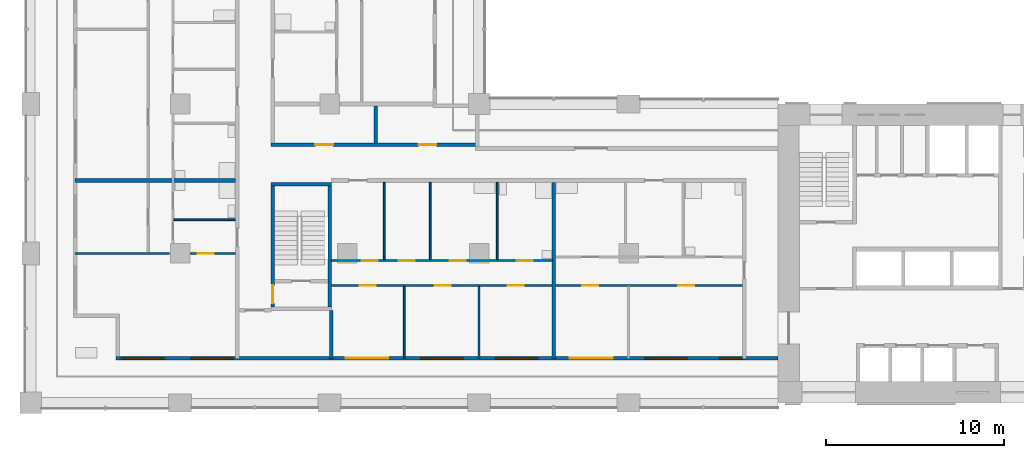
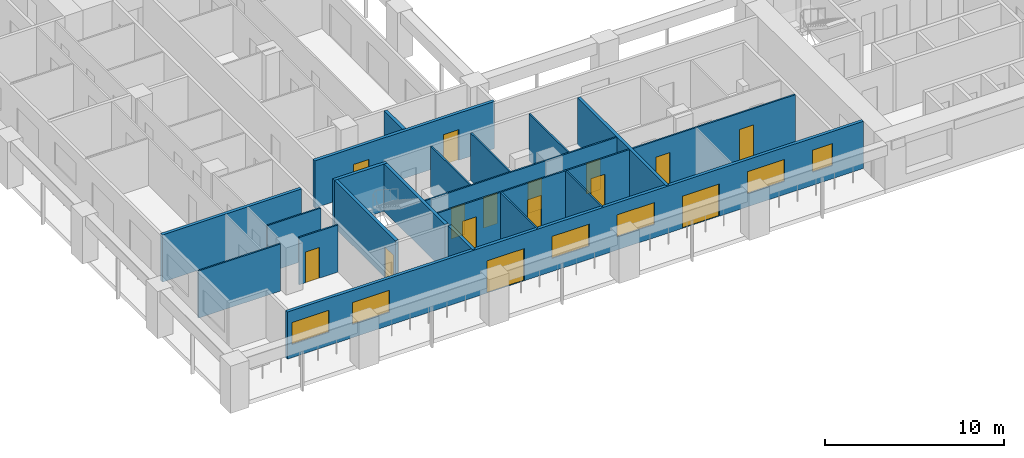
# One storey, part 2 of 17: 19 walls, 15 doors, 6 windows, 21 openings.
"""IFC4 building model written with IfcOpenShell, lengths in metres."""

from ifc_helpers import new_model, si_unit, direction, frame, frame_2d, origin, place, context, subcontext, project, spatial, rectangle, extrude, material, layer, layer_set, type_object, element, fill, save


model = new_model("IFC4")

# Units and contexts
model_context = context("Model", 3, precision=1e-05, world=origin(), true_north=direction((0.0, 1.0)))
body_context = subcontext(model_context, "Body", "Model", "MODEL_VIEW")
ifc_project = project(units=[si_unit("LENGTHUNIT", "METRE"), si_unit("AREAUNIT", "SQUARE_METRE"), si_unit("VOLUMEUNIT", "CUBIC_METRE"), si_unit("PLANEANGLEUNIT", "RADIAN"), si_unit("MASSUNIT", "GRAM", prefix="KILO")], contexts=[model_context])

# Site, building, storey
site_placement = place(None, origin())
site = spatial("IfcSite", under=ifc_project, at=site_placement, CompositionType="ELEMENT")
building_placement = place(site_placement, origin())
building = spatial("IfcBuilding", under=site, at=building_placement, Name="Vermilion Gate Residences", CompositionType="ELEMENT")
storey_placement = place(building_placement, frame((0.0, 0.0, 116.199951171875)))
storey = spatial("IfcBuildingStorey", under=building, at=storey_placement, Name="L29", CompositionType="ELEMENT", Elevation=116.199951171875)

# Wall, openings, doors, windows
ifc_material_1 = material(Name="Insulated steel stud wall with terracotta rainscreen", Category="masonry")
ifc_layer_1 = layer(ifc_material_1, 0.199951171875)
ifc_layer_set_1 = layer_set([ifc_layer_1], Name="EXTERNAL WALL 200 TERRACOTTA RAINSCREEN")
wall_type_1 = type_object("IfcWallType", Name="EXTERNAL WALL 200 TERRACOTTA RAINSCREEN", PredefinedType="SOLIDWALL", material=ifc_layer_set_1)
wall_1_placement = place(storey_placement, frame((4.800048828125, 10.89990234375, 0.0), z_axis=(0.0, 0.0, 1.0), x_axis=(1.0, 0.0, 0.0)))
wall_1 = element("IfcWall", 1, at=wall_1_placement, inside=storey, type_object=wall_type_1, Name="External wall", PredefinedType="SOLIDWALL", context=body_context, shape_type="SweptSolid", body=[
    extrude(rectangle(XDim=37.199951171875, YDim=0.199951171875, at=frame_2d((18.60009765625, 0.0))), origin(), (0.0, 0.0, 1.0), 3.219970703125),
])
opening_1_placement = place(wall_1_placement, frame((0.300048828125, 0.0, 0.89990234375)))
opening_1 = element("IfcOpeningElement", 2, at=opening_1_placement, cuts=wall_1, Name="Opening WE29012", PredefinedType="OPENING", context=body_context, shape_type="SweptSolid", body=[
    extrude(rectangle(XDim=2.39990234375, YDim=1.5, at=frame_2d((1.199951171875, 0.75))), frame((0.0, 0.10986328125, 0.0), z_axis=(0.0, -1.0, 0.0), x_axis=(1.0, 0.0, 0.0)), (0.0, 0.0, 1.0), 0.219970703125),
])
opening_2_placement = place(wall_1_placement, frame((4.199951171875, 0.0, 0.89990234375)))
opening_2 = element("IfcOpeningElement", 3, at=opening_2_placement, cuts=wall_1, Name="Opening WE29013", PredefinedType="OPENING", context=body_context, shape_type="SweptSolid", body=[
    extrude(rectangle(XDim=2.39990234375, YDim=1.5, at=frame_2d((1.199951171875, 0.75))), frame((0.0, 0.10986328125, 0.0), z_axis=(0.0, -1.0, 0.0), x_axis=(1.0, 0.0, 0.0)), (0.0, 0.0, 1.0), 0.219970703125),
])
opening_3_placement = place(wall_1_placement, frame((12.89990234375, 0.0, 0.0)))
opening_3 = element("IfcOpeningElement", 4, at=opening_3_placement, cuts=wall_1, Name="Opening DE29014", PredefinedType="OPENING", context=body_context, shape_type="SweptSolid", body=[
    extrude(rectangle(XDim=2.39990234375, YDim=2.199951171875, at=frame_2d((1.199951171875, 1.10009765625))), frame((0.0, 0.10986328125, 0.0), z_axis=(0.0, -1.0, 0.0), x_axis=(1.0, 0.0, 0.0)), (0.0, 0.0, 1.0), 0.219970703125),
])
opening_4_placement = place(wall_1_placement, frame((17.10009765625, 0.0, 0.89990234375)))
opening_4 = element("IfcOpeningElement", 5, at=opening_4_placement, cuts=wall_1, Name="Opening WE29015", PredefinedType="OPENING", context=body_context, shape_type="SweptSolid", body=[
    extrude(rectangle(XDim=2.39990234375, YDim=1.5, at=frame_2d((1.199951171875, 0.75))), frame((0.0, 0.10986328125, 0.0), z_axis=(0.0, -1.0, 0.0), x_axis=(1.0, 0.0, 0.0)), (0.0, 0.0, 1.0), 0.219970703125),
])
opening_5_placement = place(wall_1_placement, frame((21.300048828125, 0.0, 0.89990234375)))
opening_5 = element("IfcOpeningElement", 6, at=opening_5_placement, cuts=wall_1, Name="Opening WE29016", PredefinedType="OPENING", context=body_context, shape_type="SweptSolid", body=[
    extrude(rectangle(XDim=2.39990234375, YDim=1.5, at=frame_2d((1.199951171875, 0.75))), frame((0.0, 0.10986328125, 0.0), z_axis=(0.0, -1.0, 0.0), x_axis=(1.0, 0.0, 0.0)), (0.0, 0.0, 1.0), 0.219970703125),
])
opening_6_placement = place(wall_1_placement, frame((25.5, 0.0, 0.0)))
opening_6 = element("IfcOpeningElement", 7, at=opening_6_placement, cuts=wall_1, Name="Opening DE29017", PredefinedType="OPENING", context=body_context, shape_type="SweptSolid", body=[
    extrude(rectangle(XDim=2.39990234375, YDim=2.199951171875, at=frame_2d((1.199951171875, 1.10009765625))), frame((0.0, 0.10986328125, 0.0), z_axis=(0.0, -1.0, 0.0), x_axis=(1.0, 0.0, 0.0)), (0.0, 0.0, 1.0), 0.219970703125),
])
opening_7_placement = place(wall_1_placement, frame((29.699951171875, 0.0, 0.89990234375)))
opening_7 = element("IfcOpeningElement", 8, at=opening_7_placement, cuts=wall_1, Name="Opening WE29018", PredefinedType="OPENING", context=body_context, shape_type="SweptSolid", body=[
    extrude(rectangle(XDim=2.39990234375, YDim=1.5, at=frame_2d((1.199951171875, 0.75))), frame((0.0, 0.10986328125, 0.0), z_axis=(0.0, -1.0, 0.0), x_axis=(1.0, 0.0, 0.0)), (0.0, 0.0, 1.0), 0.219970703125),
])
opening_8_placement = place(wall_1_placement, frame((33.89990234375, 0.0, 0.89990234375)))
opening_8 = element("IfcOpeningElement", 9, at=opening_8_placement, cuts=wall_1, Name="Opening WE29019", PredefinedType="OPENING", context=body_context, shape_type="SweptSolid", body=[
    extrude(rectangle(XDim=1.300048828125, YDim=1.5, at=frame_2d((0.64990234375, 0.75))), frame((0.0, 0.10986328125, 0.0), z_axis=(0.0, -1.0, 0.0), x_axis=(1.0, 0.0, 0.0)), (0.0, 0.0, 1.0), 0.219970703125),
])
ifc_material_2 = material(Name="Aluminium and clear glass", Category="aluminium")
door_type_1 = type_object("IfcDoorType", Name="SLIDING GLAZED DOOR 2400 X 2200", OperationType="DOUBLE_DOOR_SLIDING", PredefinedType="DOOR", material=ifc_material_2)
door_1_placement = place(opening_3_placement, origin())
door_1 = element("IfcDoor", 10, at=door_1_placement, inside=storey, type_object=door_type_1, Name="Loggia sliding door", OperationType="DOUBLE_DOOR_SLIDING", OverallHeight=2.199951171875, OverallWidth=2.39990234375, PredefinedType="DOOR", context=body_context, shape_type="SweptSolid", body=[
    extrude(rectangle(XDim=2.39990234375, YDim=2.199951171875, at=frame_2d((1.199951171875, 1.10009765625))), frame((0.0, 0.02490234375, 0.0), z_axis=(0.0, -1.0, 0.0), x_axis=(1.0, 0.0, 0.0)), (0.0, 0.0, 1.0), 0.050048828125),
])
fill(opening_3, door_1)
door_2_placement = place(opening_6_placement, origin())
door_2 = element("IfcDoor", 11, at=door_2_placement, inside=storey, type_object=door_type_1, Name="Loggia sliding door", OperationType="DOUBLE_DOOR_SLIDING", OverallHeight=2.199951171875, OverallWidth=2.39990234375, PredefinedType="DOOR", context=body_context, shape_type="SweptSolid", body=[
    extrude(rectangle(XDim=2.39990234375, YDim=2.199951171875, at=frame_2d((1.199951171875, 1.10009765625))), frame((0.0, 0.02490234375, 0.0), z_axis=(0.0, -1.0, 0.0), x_axis=(1.0, 0.0, 0.0)), (0.0, 0.0, 1.0), 0.050048828125),
])
fill(opening_6, door_2)
ifc_material_3 = material(Name="Aluminium and clear glass", Category="aluminium")
window_type_1 = type_object("IfcWindowType", Name="WINDOW 1300 X 1500", PartitioningType="SINGLE_PANEL", PredefinedType="WINDOW", material=ifc_material_3)
window_1_placement = place(opening_8_placement, origin())
window_1 = element("IfcWindow", 12, at=window_1_placement, inside=storey, type_object=window_type_1, Name="Window", OverallHeight=1.5, OverallWidth=1.300048828125, PartitioningType="SINGLE_PANEL", PredefinedType="WINDOW", context=body_context, shape_type="SweptSolid", body=[
    extrude(rectangle(XDim=1.300048828125, YDim=1.5, at=frame_2d((0.64990234375, 0.75))), frame((0.0, 0.030029296875, 0.0), z_axis=(0.0, -1.0, 0.0), x_axis=(1.0, 0.0, 0.0)), (0.0, 0.0, 1.0), 0.06005859375),
])
fill(opening_8, window_1)
ifc_material_4 = material(Name="Aluminium and clear glass", Category="aluminium")
window_type_2 = type_object("IfcWindowType", Name="WINDOW 2400 X 1500", PartitioningType="SINGLE_PANEL", PredefinedType="WINDOW", material=ifc_material_4)
window_2_placement = place(opening_1_placement, origin())
window_2 = element("IfcWindow", 13, at=window_2_placement, inside=storey, type_object=window_type_2, Name="Window", OverallHeight=1.5, OverallWidth=2.39990234375, PartitioningType="SINGLE_PANEL", PredefinedType="WINDOW", context=body_context, shape_type="SweptSolid", body=[
    extrude(rectangle(XDim=2.39990234375, YDim=1.5, at=frame_2d((1.199951171875, 0.75))), frame((0.0, 0.030029296875, 0.0), z_axis=(0.0, -1.0, 0.0), x_axis=(1.0, 0.0, 0.0)), (0.0, 0.0, 1.0), 0.06005859375),
])
fill(opening_1, window_2)
window_3_placement = place(opening_2_placement, origin())
window_3 = element("IfcWindow", 14, at=window_3_placement, inside=storey, type_object=window_type_2, Name="Window", OverallHeight=1.5, OverallWidth=2.39990234375, PartitioningType="SINGLE_PANEL", PredefinedType="WINDOW", context=body_context, shape_type="SweptSolid", body=[
    extrude(rectangle(XDim=2.39990234375, YDim=1.5, at=frame_2d((1.199951171875, 0.75))), frame((0.0, 0.030029296875, 0.0), z_axis=(0.0, -1.0, 0.0), x_axis=(1.0, 0.0, 0.0)), (0.0, 0.0, 1.0), 0.06005859375),
])
fill(opening_2, window_3)
window_4_placement = place(opening_4_placement, origin())
window_4 = element("IfcWindow", 15, at=window_4_placement, inside=storey, type_object=window_type_2, Name="Window", OverallHeight=1.5, OverallWidth=2.39990234375, PartitioningType="SINGLE_PANEL", PredefinedType="WINDOW", context=body_context, shape_type="SweptSolid", body=[
    extrude(rectangle(XDim=2.39990234375, YDim=1.5, at=frame_2d((1.199951171875, 0.75))), frame((0.0, 0.030029296875, 0.0), z_axis=(0.0, -1.0, 0.0), x_axis=(1.0, 0.0, 0.0)), (0.0, 0.0, 1.0), 0.06005859375),
])
fill(opening_4, window_4)
window_5_placement = place(opening_5_placement, origin())
window_5 = element("IfcWindow", 16, at=window_5_placement, inside=storey, type_object=window_type_2, Name="Window", OverallHeight=1.5, OverallWidth=2.39990234375, PartitioningType="SINGLE_PANEL", PredefinedType="WINDOW", context=body_context, shape_type="SweptSolid", body=[
    extrude(rectangle(XDim=2.39990234375, YDim=1.5, at=frame_2d((1.199951171875, 0.75))), frame((0.0, 0.030029296875, 0.0), z_axis=(0.0, -1.0, 0.0), x_axis=(1.0, 0.0, 0.0)), (0.0, 0.0, 1.0), 0.06005859375),
])
fill(opening_5, window_5)
window_6_placement = place(opening_7_placement, origin())
window_6 = element("IfcWindow", 17, at=window_6_placement, inside=storey, type_object=window_type_2, Name="Window", OverallHeight=1.5, OverallWidth=2.39990234375, PartitioningType="SINGLE_PANEL", PredefinedType="WINDOW", context=body_context, shape_type="SweptSolid", body=[
    extrude(rectangle(XDim=2.39990234375, YDim=1.5, at=frame_2d((1.199951171875, 0.75))), frame((0.0, 0.030029296875, 0.0), z_axis=(0.0, -1.0, 0.0), x_axis=(1.0, 0.0, 0.0)), (0.0, 0.0, 1.0), 0.06005859375),
])
fill(opening_7, window_6)

# Wall, openings, doors
ifc_material_5 = material(Name="Plasterboard on steel studs", Category="steel")
ifc_layer_2 = layer(ifc_material_5, 0.10009765625)
ifc_layer_set_2 = layer_set([ifc_layer_2], Name="PARTITION 100")
wall_type_2 = type_object("IfcWallType", Name="PARTITION 100", PredefinedType="PARTITIONING", material=ifc_layer_set_2)
wall_2_placement = place(storey_placement, frame((16.89990234375, 15.0, 0.0), z_axis=(0.0, 0.0, 1.0), x_axis=(1.0, 0.0, 0.0)))
wall_2 = element("IfcWall", 18, at=wall_2_placement, inside=storey, type_object=wall_type_2, Name="Partition", PredefinedType="PARTITIONING", context=body_context, shape_type="SweptSolid", body=[
    extrude(rectangle(XDim=23.10009765625, YDim=0.10009765625, at=frame_2d((11.550048828125, 0.0))), origin(), (0.0, 0.0, 1.0), 3.219970703125),
])
opening_9_placement = place(wall_2_placement, frame((1.60009765625, 0.0, 0.0)))
opening_9 = element("IfcOpeningElement", 19, at=opening_9_placement, cuts=wall_2, Name="Opening DA28002", PredefinedType="OPENING", context=body_context, shape_type="SweptSolid", body=[
    extrude(rectangle(XDim=0.89990234375, YDim=2.10009765625, at=frame_2d((0.449951171875, 1.050048828125))), frame((0.0, 0.06005859375, 0.0), z_axis=(0.0, -1.0, 0.0), x_axis=(1.0, 0.0, 0.0)), (0.0, 0.0, 1.0), 0.1201171875),
])
opening_10_placement = place(wall_2_placement, frame((5.800048828125, 0.0, 0.0)))
opening_10 = element("IfcOpeningElement", 20, at=opening_10_placement, cuts=wall_2, Name="Opening DA28003", PredefinedType="OPENING", context=body_context, shape_type="SweptSolid", body=[
    extrude(rectangle(XDim=0.89990234375, YDim=2.10009765625, at=frame_2d((0.449951171875, 1.050048828125))), frame((0.0, 0.06005859375, 0.0), z_axis=(0.0, -1.0, 0.0), x_axis=(1.0, 0.0, 0.0)), (0.0, 0.0, 1.0), 0.1201171875),
])
opening_11_placement = place(wall_2_placement, frame((9.89990234375, 0.0, 0.0)))
opening_11 = element("IfcOpeningElement", 21, at=opening_11_placement, cuts=wall_2, Name="Opening DA28004", PredefinedType="OPENING", context=body_context, shape_type="SweptSolid", body=[
    extrude(rectangle(XDim=0.89990234375, YDim=2.10009765625, at=frame_2d((0.449951171875, 1.050048828125))), frame((0.0, 0.06005859375, 0.0), z_axis=(0.0, -1.0, 0.0), x_axis=(1.0, 0.0, 0.0)), (0.0, 0.0, 1.0), 0.1201171875),
])
opening_12_placement = place(wall_2_placement, frame((14.10009765625, 0.0, 0.0)))
opening_12 = element("IfcOpeningElement", 22, at=opening_12_placement, cuts=wall_2, Name="Opening DA28005", PredefinedType="OPENING", context=body_context, shape_type="SweptSolid", body=[
    extrude(rectangle(XDim=0.89990234375, YDim=2.10009765625, at=frame_2d((0.449951171875, 1.050048828125))), frame((0.0, 0.06005859375, 0.0), z_axis=(0.0, -1.0, 0.0), x_axis=(1.0, 0.0, 0.0)), (0.0, 0.0, 1.0), 0.1201171875),
])
opening_13_placement = place(wall_2_placement, frame((19.5, 0.0, 0.0)))
opening_13 = element("IfcOpeningElement", 23, at=opening_13_placement, cuts=wall_2, Name="Opening DA28006", PredefinedType="OPENING", context=body_context, shape_type="SweptSolid", body=[
    extrude(rectangle(XDim=0.89990234375, YDim=2.10009765625, at=frame_2d((0.449951171875, 1.050048828125))), frame((0.0, 0.06005859375, 0.0), z_axis=(0.0, -1.0, 0.0), x_axis=(1.0, 0.0, 0.0)), (0.0, 0.0, 1.0), 0.1201171875),
])
ifc_material_6 = material(Name="Timber", Category="wood")
door_type_2 = type_object("IfcDoorType", Name="INTERIOR DOOR 900 X 2100", OperationType="SINGLE_SWING_LEFT", PredefinedType="DOOR", material=ifc_material_6)
door_3_placement = place(opening_9_placement, frame((0.89990234375, 0.0, 0.0), z_axis=(0.0, 0.0, 1.0), x_axis=(-1.0, 0.0, 0.0)))
door_3 = element("IfcDoor", 24, at=door_3_placement, inside=storey, type_object=door_type_2, Name="Interior door", OperationType="SINGLE_SWING_LEFT", OverallHeight=2.10009765625, OverallWidth=0.89990234375, PredefinedType="DOOR", context=body_context, shape_type="SweptSolid", body=[
    extrude(rectangle(XDim=0.89990234375, YDim=2.10009765625, at=frame_2d((0.449951171875, 1.050048828125))), frame((0.0, 0.02490234375, 0.0), z_axis=(0.0, -1.0, 0.0), x_axis=(1.0, 0.0, 0.0)), (0.0, 0.0, 1.0), 0.050048828125),
])
fill(opening_9, door_3)
door_4_placement = place(opening_10_placement, frame((0.89990234375, 0.0, 0.0), z_axis=(0.0, 0.0, 1.0), x_axis=(-1.0, 0.0, 0.0)))
door_4 = element("IfcDoor", 25, at=door_4_placement, inside=storey, type_object=door_type_2, Name="Interior door", OperationType="SINGLE_SWING_LEFT", OverallHeight=2.10009765625, OverallWidth=0.89990234375, PredefinedType="DOOR", context=body_context, shape_type="SweptSolid", body=[
    extrude(rectangle(XDim=0.89990234375, YDim=2.10009765625, at=frame_2d((0.449951171875, 1.050048828125))), frame((0.0, 0.02490234375, 0.0), z_axis=(0.0, -1.0, 0.0), x_axis=(1.0, 0.0, 0.0)), (0.0, 0.0, 1.0), 0.050048828125),
])
fill(opening_10, door_4)
door_5_placement = place(opening_11_placement, frame((0.89990234375, 0.0, 0.0), z_axis=(0.0, 0.0, 1.0), x_axis=(-1.0, 0.0, 0.0)))
door_5 = element("IfcDoor", 26, at=door_5_placement, inside=storey, type_object=door_type_2, Name="Interior door", OperationType="SINGLE_SWING_RIGHT", OverallHeight=2.10009765625, OverallWidth=0.89990234375, PredefinedType="DOOR", context=body_context, shape_type="SweptSolid", body=[
    extrude(rectangle(XDim=0.89990234375, YDim=2.10009765625, at=frame_2d((0.449951171875, 1.050048828125))), frame((0.0, 0.02490234375, 0.0), z_axis=(0.0, -1.0, 0.0), x_axis=(1.0, 0.0, 0.0)), (0.0, 0.0, 1.0), 0.050048828125),
])
fill(opening_11, door_5)
door_6_placement = place(opening_12_placement, frame((0.89990234375, 0.0, 0.0), z_axis=(0.0, 0.0, 1.0), x_axis=(-1.0, 0.0, 0.0)))
door_6 = element("IfcDoor", 27, at=door_6_placement, inside=storey, type_object=door_type_2, Name="Interior door", OperationType="SINGLE_SWING_RIGHT", OverallHeight=2.10009765625, OverallWidth=0.89990234375, PredefinedType="DOOR", context=body_context, shape_type="SweptSolid", body=[
    extrude(rectangle(XDim=0.89990234375, YDim=2.10009765625, at=frame_2d((0.449951171875, 1.050048828125))), frame((0.0, 0.02490234375, 0.0), z_axis=(0.0, -1.0, 0.0), x_axis=(1.0, 0.0, 0.0)), (0.0, 0.0, 1.0), 0.050048828125),
])
fill(opening_12, door_6)
door_7_placement = place(opening_13_placement, frame((0.89990234375, 0.0, 0.0), z_axis=(0.0, 0.0, 1.0), x_axis=(-1.0, 0.0, 0.0)))
door_7 = element("IfcDoor", 28, at=door_7_placement, inside=storey, type_object=door_type_2, Name="Interior door", OperationType="SINGLE_SWING_LEFT", OverallHeight=2.10009765625, OverallWidth=0.89990234375, PredefinedType="DOOR", context=body_context, shape_type="SweptSolid", body=[
    extrude(rectangle(XDim=0.89990234375, YDim=2.10009765625, at=frame_2d((0.449951171875, 1.050048828125))), frame((0.0, 0.02490234375, 0.0), z_axis=(0.0, -1.0, 0.0), x_axis=(1.0, 0.0, 0.0)), (0.0, 0.0, 1.0), 0.050048828125),
])
fill(opening_13, door_7)

wall_3_placement = place(storey_placement, frame((16.89990234375, 16.39990234375, 0.0), z_axis=(0.0, 0.0, 1.0), x_axis=(1.0, 0.0, 0.0)))
wall_3 = element("IfcWall", 29, at=wall_3_placement, inside=storey, type_object=wall_type_2, Name="Partition", PredefinedType="PARTITIONING", context=body_context, shape_type="SweptSolid", body=[
    extrude(rectangle(XDim=12.400146484375, YDim=0.10009765625, at=frame_2d((6.2001953125, 0.0))), origin(), (0.0, 0.0, 1.0), 3.219970703125),
])
opening_14_placement = place(wall_3_placement, frame((1.699951171875, 0.0, 0.0)))
opening_14 = element("IfcOpeningElement", 30, at=opening_14_placement, cuts=wall_3, Name="Opening DA28007", PredefinedType="OPENING", context=body_context, shape_type="SweptSolid", body=[
    extrude(rectangle(XDim=0.89990234375, YDim=2.10009765625, at=frame_2d((0.449951171875, 1.050048828125))), frame((0.0, 0.06005859375, 0.0), z_axis=(0.0, -1.0, 0.0), x_axis=(1.0, 0.0, 0.0)), (0.0, 0.0, 1.0), 0.1201171875),
])
opening_15_placement = place(wall_3_placement, frame((3.77490234375, 0.0, 0.0)))
opening_15 = element("IfcOpeningElement", 31, at=opening_15_placement, cuts=wall_3, Name="Opening DA28008", PredefinedType="OPENING", context=body_context, shape_type="SweptSolid", body=[
    extrude(rectangle(XDim=0.89990234375, YDim=2.10009765625, at=frame_2d((0.449951171875, 1.050048828125))), frame((0.0, 0.06005859375, 0.0), z_axis=(0.0, -1.0, 0.0), x_axis=(1.0, 0.0, 0.0)), (0.0, 0.0, 1.0), 0.1201171875),
])
opening_16_placement = place(wall_3_placement, frame((6.64990234375, 0.0, 0.0)))
opening_16 = element("IfcOpeningElement", 32, at=opening_16_placement, cuts=wall_3, Name="Opening DA28009", PredefinedType="OPENING", context=body_context, shape_type="SweptSolid", body=[
    extrude(rectangle(XDim=0.89990234375, YDim=2.10009765625, at=frame_2d((0.449951171875, 1.050048828125))), frame((0.0, 0.06005859375, 0.0), z_axis=(0.0, -1.0, 0.0), x_axis=(1.0, 0.0, 0.0)), (0.0, 0.0, 1.0), 0.1201171875),
])
opening_17_placement = place(wall_3_placement, frame((10.425048828125, 0.0, 0.0)))
opening_17 = element("IfcOpeningElement", 33, at=opening_17_placement, cuts=wall_3, Name="Opening DA28010", PredefinedType="OPENING", context=body_context, shape_type="SweptSolid", body=[
    extrude(rectangle(XDim=0.89990234375, YDim=2.10009765625, at=frame_2d((0.449951171875, 1.050048828125))), frame((0.0, 0.06005859375, 0.0), z_axis=(0.0, -1.0, 0.0), x_axis=(1.0, 0.0, 0.0)), (0.0, 0.0, 1.0), 0.1201171875),
])
door_8_placement = place(opening_14_placement, origin())
door_8 = element("IfcDoor", 34, at=door_8_placement, inside=storey, type_object=door_type_2, Name="Interior door", OperationType="SINGLE_SWING_LEFT", OverallHeight=2.10009765625, OverallWidth=0.89990234375, PredefinedType="DOOR", context=body_context, shape_type="SweptSolid", body=[
    extrude(rectangle(XDim=0.89990234375, YDim=2.10009765625, at=frame_2d((0.449951171875, 1.050048828125))), frame((0.0, 0.02490234375, 0.0), z_axis=(0.0, -1.0, 0.0), x_axis=(1.0, 0.0, 0.0)), (0.0, 0.0, 1.0), 0.050048828125),
])
fill(opening_14, door_8)
door_9_placement = place(opening_15_placement, origin())
door_9 = element("IfcDoor", 35, at=door_9_placement, inside=storey, type_object=door_type_2, Name="Interior door", OperationType="SINGLE_SWING_LEFT", OverallHeight=2.10009765625, OverallWidth=0.89990234375, PredefinedType="DOOR", context=body_context, shape_type="SweptSolid", body=[
    extrude(rectangle(XDim=0.89990234375, YDim=2.10009765625, at=frame_2d((0.449951171875, 1.050048828125))), frame((0.0, 0.02490234375, 0.0), z_axis=(0.0, -1.0, 0.0), x_axis=(1.0, 0.0, 0.0)), (0.0, 0.0, 1.0), 0.050048828125),
])
fill(opening_15, door_9)
door_10_placement = place(opening_16_placement, origin())
door_10 = element("IfcDoor", 36, at=door_10_placement, inside=storey, type_object=door_type_2, Name="Interior door", OperationType="SINGLE_SWING_RIGHT", OverallHeight=2.10009765625, OverallWidth=0.89990234375, PredefinedType="DOOR", context=body_context, shape_type="SweptSolid", body=[
    extrude(rectangle(XDim=0.89990234375, YDim=2.10009765625, at=frame_2d((0.449951171875, 1.050048828125))), frame((0.0, 0.02490234375, 0.0), z_axis=(0.0, -1.0, 0.0), x_axis=(1.0, 0.0, 0.0)), (0.0, 0.0, 1.0), 0.050048828125),
])
fill(opening_16, door_10)
door_11_placement = place(opening_17_placement, origin())
door_11 = element("IfcDoor", 37, at=door_11_placement, inside=storey, type_object=door_type_2, Name="Interior door", OperationType="SINGLE_SWING_RIGHT", OverallHeight=2.10009765625, OverallWidth=0.89990234375, PredefinedType="DOOR", context=body_context, shape_type="SweptSolid", body=[
    extrude(rectangle(XDim=0.89990234375, YDim=2.10009765625, at=frame_2d((0.449951171875, 1.050048828125))), frame((0.0, 0.02490234375, 0.0), z_axis=(0.0, -1.0, 0.0), x_axis=(1.0, 0.0, 0.0)), (0.0, 0.0, 1.0), 0.050048828125),
])
fill(opening_17, door_11)

# Wall
wall_4_placement = place(storey_placement, frame((2.5, 16.800048828125, 0.0), z_axis=(0.0, 0.0, 1.0), x_axis=(1.0, 0.0, 0.0)))
element("IfcWall", 38, at=wall_4_placement, inside=storey, type_object=wall_type_2, Name="Partition", PredefinedType="PARTITIONING", context=body_context, shape_type="SweptSolid", body=[
    extrude(rectangle(XDim=5.300048828125, YDim=0.10009765625, at=frame_2d((2.64990234375, 0.0))), origin(), (0.0, 0.0, 1.0), 3.219970703125),
])

# Wall, opening, door
wall_5_placement = place(storey_placement, frame((9.0, 16.800048828125, 0.0), z_axis=(0.0, 0.0, 1.0), x_axis=(1.0, 0.0, 0.0)))
wall_5 = element("IfcWall", 39, at=wall_5_placement, inside=storey, type_object=wall_type_2, Name="Partition", PredefinedType="PARTITIONING", context=body_context, shape_type="SweptSolid", body=[
    extrude(rectangle(XDim=2.5, YDim=0.10009765625, at=frame_2d((1.25, 0.0))), origin(), (0.0, 0.0, 1.0), 3.219970703125),
])
opening_18_placement = place(wall_5_placement, frame((0.39990234375, 0.0, 0.0)))
opening_18 = element("IfcOpeningElement", 40, at=opening_18_placement, cuts=wall_5, Name="Opening DA28014", PredefinedType="OPENING", context=body_context, shape_type="SweptSolid", body=[
    extrude(rectangle(XDim=0.89990234375, YDim=2.10009765625, at=frame_2d((0.449951171875, 1.050048828125))), frame((0.0, 0.06005859375, 0.0), z_axis=(0.0, -1.0, 0.0), x_axis=(1.0, 0.0, 0.0)), (0.0, 0.0, 1.0), 0.1201171875),
])
door_12_placement = place(opening_18_placement, frame((0.89990234375, 0.0, 0.0), z_axis=(0.0, 0.0, 1.0), x_axis=(-1.0, 0.0, 0.0)))
door_12 = element("IfcDoor", 41, at=door_12_placement, inside=storey, type_object=door_type_2, Name="Interior door", OperationType="SINGLE_SWING_RIGHT", OverallHeight=2.10009765625, OverallWidth=0.89990234375, PredefinedType="DOOR", context=body_context, shape_type="SweptSolid", body=[
    extrude(rectangle(XDim=0.89990234375, YDim=2.10009765625, at=frame_2d((0.449951171875, 1.050048828125))), frame((0.0, 0.02490234375, 0.0), z_axis=(0.0, -1.0, 0.0), x_axis=(1.0, 0.0, 0.0)), (0.0, 0.0, 1.0), 0.050048828125),
])
fill(opening_18, door_12)

# Walls
wall_6_placement = place(storey_placement, frame((8.050048828125, 18.699951171875, 0.0), z_axis=(0.0, 0.0, 1.0), x_axis=(1.0, 0.0, 0.0)))
element("IfcWall", 42, at=wall_6_placement, inside=storey, type_object=wall_type_2, Name="Partition", PredefinedType="PARTITIONING", context=body_context, shape_type="SweptSolid", body=[
    extrude(rectangle(XDim=3.449951171875, YDim=0.10009765625, at=frame_2d((1.72509765625, 0.0))), origin(), (0.0, 0.0, 1.0), 3.219970703125),
])
wall_7_placement = place(storey_placement, frame((19.875, 16.449951171875, 0.0), z_axis=(0.0, 0.0, 1.0), x_axis=(0.0, 1.0, 0.0)))
element("IfcWall", 43, at=wall_7_placement, inside=storey, type_object=wall_type_2, Name="Partition", PredefinedType="PARTITIONING", context=body_context, shape_type="SweptSolid", body=[
    extrude(rectangle(XDim=4.35009765625, YDim=0.10009765625, at=frame_2d((2.175048828125, 0.0))), origin(), (0.0, 0.0, 1.0), 3.219970703125),
])
wall_8_placement = place(storey_placement, frame((21.0, 10.89990234375, 0.0), z_axis=(0.0, 0.0, 1.0), x_axis=(0.0, 1.0, 0.0)))
element("IfcWall", 44, at=wall_8_placement, inside=storey, type_object=wall_type_2, Name="Partition", PredefinedType="PARTITIONING", context=body_context, shape_type="SweptSolid", body=[
    extrude(rectangle(XDim=4.050048828125, YDim=0.10009765625, at=frame_2d((2.02490234375, 0.0))), origin(), (0.0, 0.0, 1.0), 3.219970703125),
])
wall_9_placement = place(storey_placement, frame((22.449951171875, 16.449951171875, 0.0), z_axis=(0.0, 0.0, 1.0), x_axis=(0.0, 1.0, 0.0)))
element("IfcWall", 45, at=wall_9_placement, inside=storey, type_object=wall_type_2, Name="Partition", PredefinedType="PARTITIONING", context=body_context, shape_type="SweptSolid", body=[
    extrude(rectangle(XDim=4.35009765625, YDim=0.10009765625, at=frame_2d((2.175048828125, 0.0))), origin(), (0.0, 0.0, 1.0), 3.219970703125),
])
wall_10_placement = place(storey_placement, frame((25.199951171875, 10.89990234375, 0.0), z_axis=(0.0, 0.0, 1.0), x_axis=(0.0, 1.0, 0.0)))
element("IfcWall", 46, at=wall_10_placement, inside=storey, type_object=wall_type_2, Name="Partition", PredefinedType="PARTITIONING", context=body_context, shape_type="SweptSolid", body=[
    extrude(rectangle(XDim=4.050048828125, YDim=0.10009765625, at=frame_2d((2.02490234375, 0.0))), origin(), (0.0, 0.0, 1.0), 3.219970703125),
])
wall_11_placement = place(storey_placement, frame((26.22509765625, 16.449951171875, 0.0), z_axis=(0.0, 0.0, 1.0), x_axis=(0.0, 1.0, 0.0)))
element("IfcWall", 47, at=wall_11_placement, inside=storey, type_object=wall_type_2, Name="Partition", PredefinedType="PARTITIONING", context=body_context, shape_type="SweptSolid", body=[
    extrude(rectangle(XDim=4.35009765625, YDim=0.10009765625, at=frame_2d((2.175048828125, 0.0))), origin(), (0.0, 0.0, 1.0), 3.219970703125),
])
ifc_material_7 = material(Name="Fire-rated plasterboard on steel studs", Category="steel")
ifc_layer_3 = layer(ifc_material_7, 0.199951171875)
ifc_layer_set_3 = layer_set([ifc_layer_3], Name="PARTY WALL 200 EI 120")
wall_type_3 = type_object("IfcWallType", Name="PARTY WALL 200 EI 120", PredefinedType="PARTITIONING", material=ifc_layer_set_3)
wall_12_placement = place(storey_placement, frame((2.5, 20.89990234375, 0.0), z_axis=(0.0, 0.0, 1.0), x_axis=(1.0, 0.0, 0.0)))
element("IfcWall", 48, at=wall_12_placement, inside=storey, type_object=wall_type_3, Name="Party and corridor wall", PredefinedType="PARTITIONING", context=body_context, shape_type="SweptSolid", body=[
    extrude(rectangle(XDim=9.0, YDim=0.199951171875, at=frame_2d((4.5, 0.0))), origin(), (0.0, 0.0, 1.0), 3.219970703125),
])

# Wall, openings, doors
wall_13_placement = place(storey_placement, frame((13.5, 22.89990234375, 0.0), z_axis=(0.0, 0.0, 1.0), x_axis=(1.0, 0.0, 0.0)))
wall_13 = element("IfcWall", 49, at=wall_13_placement, inside=storey, type_object=wall_type_3, Name="Party and corridor wall", PredefinedType="PARTITIONING", context=body_context, shape_type="SweptSolid", body=[
    extrude(rectangle(XDim=11.60009765625, YDim=0.199951171875, at=frame_2d((5.800048828125, 0.0))), origin(), (0.0, 0.0, 1.0), 3.219970703125),
])
opening_19_placement = place(wall_13_placement, frame((2.5, 0.0, 0.0)))
opening_19 = element("IfcOpeningElement", 50, at=opening_19_placement, cuts=wall_13, Name="Opening DA28017", PredefinedType="OPENING", context=body_context, shape_type="SweptSolid", body=[
    extrude(rectangle(XDim=1.0, YDim=2.10009765625, at=frame_2d((0.5, 1.050048828125))), frame((0.0, 0.10986328125, 0.0), z_axis=(0.0, -1.0, 0.0), x_axis=(1.0, 0.0, 0.0)), (0.0, 0.0, 1.0), 0.219970703125),
])
opening_20_placement = place(wall_13_placement, frame((8.300048828125, 0.0, 0.0)))
opening_20 = element("IfcOpeningElement", 51, at=opening_20_placement, cuts=wall_13, Name="Opening DA28018", PredefinedType="OPENING", context=body_context, shape_type="SweptSolid", body=[
    extrude(rectangle(XDim=1.0, YDim=2.10009765625, at=frame_2d((0.5, 1.050048828125))), frame((0.0, 0.10986328125, 0.0), z_axis=(0.0, -1.0, 0.0), x_axis=(1.0, 0.0, 0.0)), (0.0, 0.0, 1.0), 0.219970703125),
])
ifc_material_8 = material(Name="Steel", Category="steel")
door_type_3 = type_object("IfcDoorType", Name="ENTRANCE DOOR 1000 X 2100 FD30", OperationType="SINGLE_SWING_LEFT", PredefinedType="DOOR", material=ifc_material_8)
door_13_placement = place(opening_19_placement, origin())
door_13 = element("IfcDoor", 52, at=door_13_placement, inside=storey, type_object=door_type_3, Name="Entrance door", OperationType="SINGLE_SWING_RIGHT", OverallHeight=2.10009765625, OverallWidth=1.0, PredefinedType="DOOR", context=body_context, shape_type="SweptSolid", body=[
    extrude(rectangle(XDim=1.0, YDim=2.10009765625, at=frame_2d((0.5, 1.050048828125))), frame((0.0, 0.02490234375, 0.0), z_axis=(0.0, -1.0, 0.0), x_axis=(1.0, 0.0, 0.0)), (0.0, 0.0, 1.0), 0.050048828125),
])
fill(opening_19, door_13)
door_14_placement = place(opening_20_placement, origin())
door_14 = element("IfcDoor", 53, at=door_14_placement, inside=storey, type_object=door_type_3, Name="Entrance door", OperationType="SINGLE_SWING_RIGHT", OverallHeight=2.10009765625, OverallWidth=1.0, PredefinedType="DOOR", context=body_context, shape_type="SweptSolid", body=[
    extrude(rectangle(XDim=1.0, YDim=2.10009765625, at=frame_2d((0.5, 1.050048828125))), frame((0.0, 0.02490234375, 0.0), z_axis=(0.0, -1.0, 0.0), x_axis=(1.0, 0.0, 0.0)), (0.0, 0.0, 1.0), 0.050048828125),
])
fill(opening_20, door_14)

# Walls
wall_14_placement = place(storey_placement, frame((16.89990234375, 10.89990234375, 0.0), z_axis=(0.0, 0.0, 1.0), x_axis=(0.0, 1.0, 0.0)))
element("IfcWall", 54, at=wall_14_placement, inside=storey, type_object=wall_type_3, Name="Party and corridor wall", PredefinedType="PARTITIONING", context=body_context, shape_type="SweptSolid", body=[
    extrude(rectangle(XDim=2.7001953125, YDim=0.199951171875, at=frame_2d((1.35009765625, 0.0))), origin(), (0.0, 0.0, 1.0), 3.219970703125),
])
wall_15_placement = place(storey_placement, frame((19.39990234375, 23.0, 0.0), z_axis=(0.0, 0.0, 1.0), x_axis=(0.0, 1.0, 0.0)))
element("IfcWall", 55, at=wall_15_placement, inside=storey, type_object=wall_type_3, Name="Party and corridor wall", PredefinedType="PARTITIONING", context=body_context, shape_type="SweptSolid", body=[
    extrude(rectangle(XDim=2.10009765625, YDim=0.199951171875, at=frame_2d((1.050048828125, 0.0))), origin(), (0.0, 0.0, 1.0), 3.219970703125),
])
wall_16_placement = place(storey_placement, frame((29.39990234375, 10.89990234375, 0.0), z_axis=(0.0, 0.0, 1.0), x_axis=(0.0, 1.0, 0.0)))
element("IfcWall", 56, at=wall_16_placement, inside=storey, type_object=wall_type_3, Name="Party and corridor wall", PredefinedType="PARTITIONING", context=body_context, shape_type="SweptSolid", body=[
    extrude(rectangle(XDim=9.900146484375, YDim=0.199951171875, at=frame_2d((4.9501953125, 0.0))), origin(), (0.0, 0.0, 1.0), 3.219970703125),
])

# Wall, opening, door
ifc_material_9 = material(Name="Concrete C60", Category="concrete")
ifc_layer_4 = layer(ifc_material_9, 0.199951171875)
ifc_layer_set_4 = layer_set([ifc_layer_4], Name="RC CORE INTERNAL WALL 200 C60")
wall_type_4 = type_object("IfcWallType", Name="RC CORE INTERNAL WALL 200 C60", PredefinedType="SHEAR", material=ifc_layer_set_4)
wall_17_placement = place(storey_placement, frame((13.60009765625, 13.800048828125, 0.0), z_axis=(0.0, 0.0, 1.0), x_axis=(0.0, 1.0, 0.0)))
wall_17 = element("IfcWall", 57, at=wall_17_placement, inside=storey, type_object=wall_type_4, Name="Core internal wall C29-W", PredefinedType="SHEAR", context=body_context, shape_type="SweptSolid", body=[
    extrude(rectangle(XDim=6.800048828125, YDim=0.199951171875, at=frame_2d((3.39990234375, 0.0))), origin(), (0.0, 0.0, 1.0), 3.219970703125),
])
opening_21_placement = place(wall_17_placement, frame((0.199951171875, 0.0, 0.0)))
opening_21 = element("IfcOpeningElement", 58, at=opening_21_placement, cuts=wall_17, Name="Opening DK29201", PredefinedType="OPENING", context=body_context, shape_type="SweptSolid", body=[
    extrude(rectangle(XDim=1.0, YDim=2.10009765625, at=frame_2d((0.5, 1.050048828125))), frame((0.0, 0.10986328125, 0.0), z_axis=(0.0, -1.0, 0.0), x_axis=(1.0, 0.0, 0.0)), (0.0, 0.0, 1.0), 0.219970703125),
])
ifc_material_10 = material(Name="Steel", Category="steel")
door_type_4 = type_object("IfcDoorType", Name="FIRE DOOR FD60 1000 X 2100", OperationType="SINGLE_SWING_LEFT", PredefinedType="DOOR", material=ifc_material_10)
door_15_placement = place(opening_21_placement, frame((1.0, 0.0, 0.0), z_axis=(0.0, 0.0, 1.0), x_axis=(-1.0, 0.0, 0.0)))
door_15 = element("IfcDoor", 59, at=door_15_placement, inside=storey, type_object=door_type_4, Name="Stair vestibule door C29", OperationType="SINGLE_SWING_LEFT", OverallHeight=2.10009765625, OverallWidth=1.0, PredefinedType="DOOR", context=body_context, shape_type="SweptSolid", body=[
    extrude(rectangle(XDim=1.0, YDim=2.10009765625, at=frame_2d((0.5, 1.050048828125))), frame((0.0, 0.02490234375, 0.0), z_axis=(0.0, -1.0, 0.0), x_axis=(1.0, 0.0, 0.0)), (0.0, 0.0, 1.0), 0.050048828125),
])
fill(opening_21, door_15)

# Walls
wall_18_placement = place(storey_placement, frame((16.800048828125, 13.800048828125, 0.0), z_axis=(0.0, 0.0, 1.0), x_axis=(0.0, 1.0, 0.0)))
element("IfcWall", 60, at=wall_18_placement, inside=storey, type_object=wall_type_4, Name="Core internal wall C29-E", PredefinedType="SHEAR", context=body_context, shape_type="SweptSolid", body=[
    extrude(rectangle(XDim=6.800048828125, YDim=0.199951171875, at=frame_2d((3.39990234375, 0.0))), origin(), (0.0, 0.0, 1.0), 3.219970703125),
])
wall_19_placement = place(storey_placement, frame((13.5, 20.699951171875, 0.0), z_axis=(0.0, 0.0, 1.0), x_axis=(1.0, 0.0, 0.0)))
element("IfcWall", 61, at=wall_19_placement, inside=storey, type_object=wall_type_4, Name="Core internal wall C29-N", PredefinedType="SHEAR", context=body_context, shape_type="SweptSolid", body=[
    extrude(rectangle(XDim=3.39990234375, YDim=0.199951171875, at=frame_2d((1.699951171875, 0.0))), origin(), (0.0, 0.0, 1.0), 3.219970703125),
])

save(model, "model.ifc")
